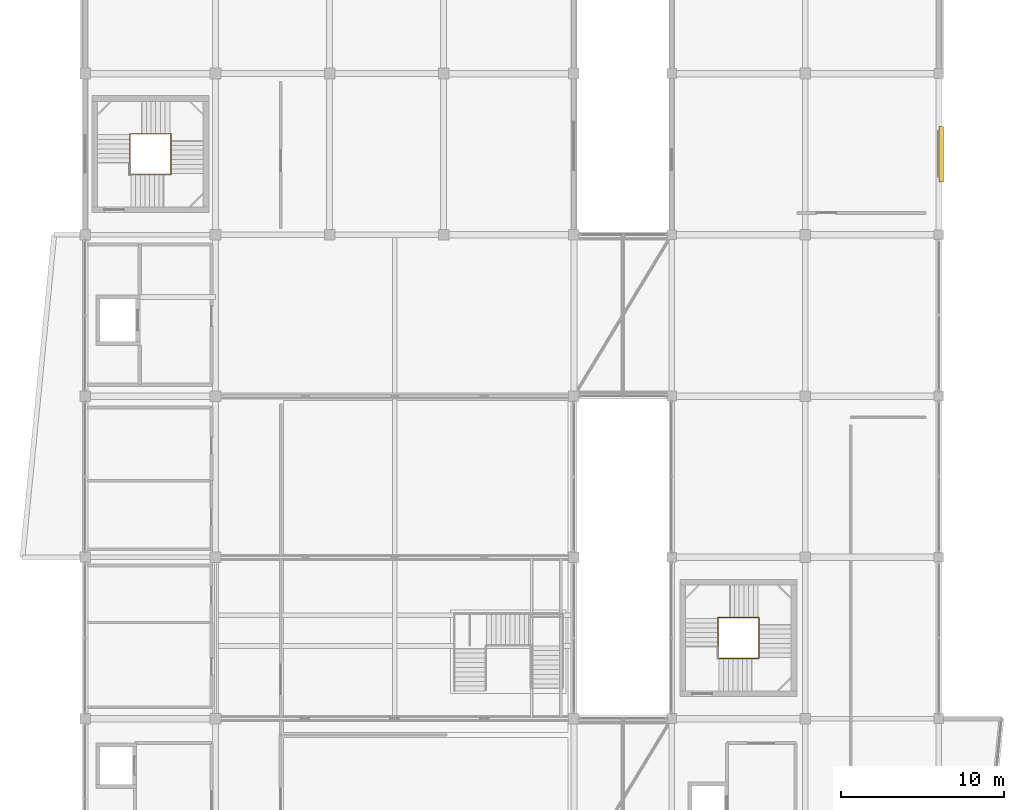
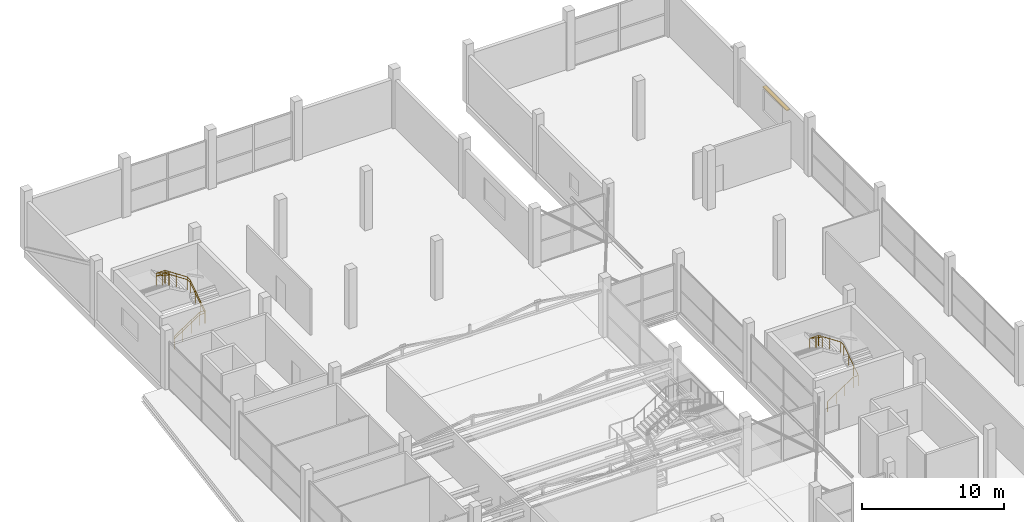
# One storey, part 66 of 66: 3 railings, 1 shading device.
"""IFC4 building model written with IfcOpenShell, lengths in metres."""

from ifc_helpers import new_model, si_unit, direction, frame, origin, origin_2d, place, context, subcontext, project, spatial, rectangle, circle, extrude, material, type_object, element, save


model = new_model("IFC4")

# Units and contexts
model_context = context("Model", 3, precision=1e-05, world=origin(), true_north=direction((0.0, 1.0)))
body_context = subcontext(model_context, "Body", "Model", "MODEL_VIEW")
ifc_project = project(units=[si_unit("LENGTHUNIT", "METRE"), si_unit("AREAUNIT", "SQUARE_METRE"), si_unit("VOLUMEUNIT", "CUBIC_METRE"), si_unit("PLANEANGLEUNIT", "RADIAN"), si_unit("MASSUNIT", "GRAM", prefix="KILO")], contexts=[model_context])

# Site, building, storey
site_placement = place(None, origin())
site = spatial("IfcSite", under=ifc_project, at=site_placement, CompositionType="ELEMENT")
building_placement = place(site_placement, origin())
building = spatial("IfcBuilding", under=site, at=building_placement, Name="Sillaruma Civic Art Gallery", CompositionType="ELEMENT")
storey_placement = place(building_placement, frame((0.0, 0.0, 57.1201171875)))
storey = spatial("IfcBuildingStorey", under=building, at=storey_placement, Name="L11", CompositionType="ELEMENT", Elevation=57.1201171875)

# Railings
ifc_material_1 = material(Name="Stainless Steel AISI 316", Category="steel")
railing_type_1 = type_object("IfcRailingType", Name="RAL-BAL-1150", PredefinedType="BALUSTRADE", material=ifc_material_1)
railing_1_placement = place(storey_placement, frame((64.739990234375, 82.889892578125, 0.0)))
element("IfcRailing", 1, at=railing_1_placement, inside=storey, type_object=railing_type_1, Name="Stair Well Balustrade (ST-02-L11)", PredefinedType="BALUSTRADE", context=body_context, shape_type="SweptSolid", body=[
    extrude(circle(Radius=0.02392578125, at=origin_2d()), frame((0.0, 0.0, 1.1259765625), z_axis=(0.838204181713, 0.0, 0.545356534534), x_axis=(0.0, 1.0, 0.0)), (0.0, 0.0, 1.0), 2.49365234375),
    extrude(circle(Radius=0.02392578125, at=origin_2d()), frame((2.090087890625, 0.0, 2.48583984375), z_axis=(1.0, 0.0, 0.0), x_axis=(0.0, 1.0, 0.0)), (0.0, 0.0, 1.0), 0.429931640625),
    extrude(circle(Radius=0.02392578125, at=origin_2d()), frame((2.52001953125, 0.0, 2.48583984375), z_axis=(0.0, 0.838159424827, 0.545425318971), x_axis=(-1.0, 0.0, 0.0)), (0.0, 0.0, 1.0), 2.49365234375),
    extrude(circle(Radius=0.02392578125, at=origin_2d()), frame((2.52001953125, 2.090087890625, 3.845703125), z_axis=(0.0, 1.0, 0.0), x_axis=(-1.0, 0.0, 0.0)), (0.0, 0.0, 1.0), 0.429931640625),
    extrude(circle(Radius=0.02392578125, at=origin_2d()), frame((2.52001953125, 2.52001953125, 3.845703125), z_axis=(-0.834202413191, 0.0, 0.551458369984), x_axis=(0.0, -1.0, 0.0)), (0.0, 0.0, 1.0), 2.15771484375),
    extrude(circle(Radius=0.02392578125, at=origin_2d()), frame((0.719970703125, 2.52001953125, 5.03564453125), z_axis=(-1.0, 0.0, 0.0), x_axis=(0.0, -1.0, 0.0)), (0.0, 0.0, 1.0), 0.719970703125),
    extrude(circle(Radius=0.02392578125, at=origin_2d()), frame((0.0, 2.52001953125, 5.03564453125), z_axis=(0.0, -0.834168000855, 0.551510422703), x_axis=(1.0, 0.0, 0.0)), (0.0, 0.0, 1.0), 2.15771484375),
    extrude(circle(Radius=0.02099609375, at=origin_2d()), origin(), (0.0, 0.0, 1.0), 1.101806640625),
    extrude(circle(Radius=0.02099609375, at=origin_2d()), frame((0.69677734375, 0.0, 0.453369140625)), (0.0, 0.0, 1.0), 1.101806640625),
    extrude(circle(Radius=0.02099609375, at=origin_2d()), frame((1.393310546875, 0.0, 0.906494140625)), (0.0, 0.0, 1.0), 1.101806640625),
    extrude(circle(Radius=0.02099609375, at=origin_2d()), frame((2.090087890625, 0.0, 1.35986328125)), (0.0, 0.0, 1.0), 1.101806640625),
    extrude(circle(Radius=0.02099609375, at=origin_2d()), frame((2.52001953125, 0.0, 1.35986328125)), (0.0, 0.0, 1.0), 1.101806640625),
    extrude(circle(Radius=0.02099609375, at=origin_2d()), frame((2.52001953125, 0.69677734375, 1.813232421875)), (0.0, 0.0, 1.0), 1.101806640625),
    extrude(circle(Radius=0.02099609375, at=origin_2d()), frame((2.52001953125, 1.393310546875, 2.2666015625)), (0.0, 0.0, 1.0), 1.101806640625),
    extrude(circle(Radius=0.02099609375, at=origin_2d()), frame((2.52001953125, 2.090087890625, 2.719970703125)), (0.0, 0.0, 1.0), 1.101806640625),
    extrude(circle(Radius=0.02099609375, at=origin_2d()), frame((2.52001953125, 2.52001953125, 2.719970703125)), (0.0, 0.0, 1.0), 1.101806640625),
    extrude(circle(Radius=0.02099609375, at=origin_2d()), frame((1.6201171875, 2.52001953125, 3.31494140625)), (0.0, 0.0, 1.0), 1.101806640625),
    extrude(circle(Radius=0.02099609375, at=origin_2d()), frame((0.719970703125, 2.52001953125, 3.909912109375)), (0.0, 0.0, 1.0), 1.101806640625),
    extrude(circle(Radius=0.02099609375, at=origin_2d()), frame((0.0, 2.52001953125, 3.909912109375)), (0.0, 0.0, 1.0), 1.101806640625),
    extrude(circle(Radius=0.02099609375, at=origin_2d()), frame((0.0, 1.6201171875, 4.5048828125)), (0.0, 0.0, 1.0), 1.101806640625),
    extrude(circle(Radius=0.02099609375, at=origin_2d()), frame((0.0, 0.72021484375, 5.099853515625)), (0.0, 0.0, 1.0), 1.101806640625),
])
railing_type_2 = type_object("IfcRailingType", Name="RAL-HND-920", PredefinedType="HANDRAIL", material=ifc_material_1)
railing_2_placement = place(storey_placement, frame((64.739990234375, 82.889892578125, 0.0)))
element("IfcRailing", 2, at=railing_2_placement, inside=storey, type_object=railing_type_2, Name="Stair Continuous Handrail (ST-02-L11)", PredefinedType="HANDRAIL", context=body_context, shape_type="SweptSolid", body=[
    extrude(circle(Radius=0.02392578125, at=origin_2d()), frame((0.0, 0.0, 0.89599609375), z_axis=(0.838204181713, 0.0, 0.545356534534), x_axis=(0.0, 1.0, 0.0)), (0.0, 0.0, 1.0), 2.49365234375),
    extrude(circle(Radius=0.02392578125, at=origin_2d()), frame((2.090087890625, 0.0, 2.255859375), z_axis=(1.0, 0.0, 0.0), x_axis=(0.0, 1.0, 0.0)), (0.0, 0.0, 1.0), 0.429931640625),
    extrude(circle(Radius=0.02392578125, at=origin_2d()), frame((2.52001953125, 0.0, 2.255859375), z_axis=(0.0, 0.838159424827, 0.545425318971), x_axis=(-1.0, 0.0, 0.0)), (0.0, 0.0, 1.0), 2.49365234375),
    extrude(circle(Radius=0.02392578125, at=origin_2d()), frame((2.52001953125, 2.090087890625, 3.61572265625), z_axis=(0.0, 1.0, 0.0), x_axis=(-1.0, 0.0, 0.0)), (0.0, 0.0, 1.0), 0.429931640625),
    extrude(circle(Radius=0.02392578125, at=origin_2d()), frame((2.52001953125, 2.52001953125, 3.61572265625), z_axis=(-0.834202413191, 0.0, 0.551458369984), x_axis=(0.0, -1.0, 0.0)), (0.0, 0.0, 1.0), 2.15771484375),
    extrude(circle(Radius=0.02392578125, at=origin_2d()), frame((0.719970703125, 2.52001953125, 4.8056640625), z_axis=(-1.0, 0.0, 0.0), x_axis=(0.0, -1.0, 0.0)), (0.0, 0.0, 1.0), 0.719970703125),
    extrude(circle(Radius=0.02392578125, at=origin_2d()), frame((0.0, 2.52001953125, 4.8056640625), z_axis=(0.0, -0.834168000855, 0.551510422703), x_axis=(1.0, 0.0, 0.0)), (0.0, 0.0, 1.0), 2.15771484375),
    extrude(circle(Radius=0.02099609375, at=origin_2d()), origin(), (0.0, 0.0, 1.0), 0.871826171875),
    extrude(circle(Radius=0.02099609375, at=origin_2d()), frame((0.69677734375, 0.0, 0.453369140625)), (0.0, 0.0, 1.0), 0.871826171875),
    extrude(circle(Radius=0.02099609375, at=origin_2d()), frame((1.393310546875, 0.0, 0.906494140625)), (0.0, 0.0, 1.0), 0.871826171875),
    extrude(circle(Radius=0.02099609375, at=origin_2d()), frame((2.090087890625, 0.0, 1.35986328125)), (0.0, 0.0, 1.0), 0.871826171875),
    extrude(circle(Radius=0.02099609375, at=origin_2d()), frame((2.52001953125, 0.0, 1.35986328125)), (0.0, 0.0, 1.0), 0.871826171875),
    extrude(circle(Radius=0.02099609375, at=origin_2d()), frame((2.52001953125, 0.69677734375, 1.813232421875)), (0.0, 0.0, 1.0), 0.871826171875),
    extrude(circle(Radius=0.02099609375, at=origin_2d()), frame((2.52001953125, 1.393310546875, 2.2666015625)), (0.0, 0.0, 1.0), 0.871826171875),
    extrude(circle(Radius=0.02099609375, at=origin_2d()), frame((2.52001953125, 2.090087890625, 2.719970703125)), (0.0, 0.0, 1.0), 0.871826171875),
    extrude(circle(Radius=0.02099609375, at=origin_2d()), frame((2.52001953125, 2.52001953125, 2.719970703125)), (0.0, 0.0, 1.0), 0.871826171875),
    extrude(circle(Radius=0.02099609375, at=origin_2d()), frame((1.6201171875, 2.52001953125, 3.31494140625)), (0.0, 0.0, 1.0), 0.871826171875),
    extrude(circle(Radius=0.02099609375, at=origin_2d()), frame((0.719970703125, 2.52001953125, 3.909912109375)), (0.0, 0.0, 1.0), 0.871826171875),
    extrude(circle(Radius=0.02099609375, at=origin_2d()), frame((0.0, 2.52001953125, 3.909912109375)), (0.0, 0.0, 1.0), 0.871826171875),
    extrude(circle(Radius=0.02099609375, at=origin_2d()), frame((0.0, 1.6201171875, 4.5048828125)), (0.0, 0.0, 1.0), 0.871826171875),
    extrude(circle(Radius=0.02099609375, at=origin_2d()), frame((0.0, 0.72021484375, 5.099853515625)), (0.0, 0.0, 1.0), 0.871826171875),
])
railing_3_placement = place(storey_placement, frame((100.840087890625, 53.18994140625, 0.0)))
element("IfcRailing", 3, at=railing_3_placement, inside=storey, type_object=railing_type_2, Name="Stair Continuous Handrail (ST-04-L11)", PredefinedType="HANDRAIL", context=body_context, shape_type="SweptSolid", body=[
    extrude(circle(Radius=0.02392578125, at=origin_2d()), frame((0.0, 0.0, 0.89599609375), z_axis=(0.838175058464, 0.0, 0.545401293883), x_axis=(0.0, 1.0, 0.0)), (0.0, 0.0, 1.0), 2.493408203125),
    extrude(circle(Radius=0.02392578125, at=origin_2d()), frame((2.08984375, 0.0, 2.255859375), z_axis=(1.0, 0.0, 0.0), x_axis=(0.0, 1.0, 0.0)), (0.0, 0.0, 1.0), 0.43017578125),
    extrude(circle(Radius=0.02392578125, at=origin_2d()), frame((2.52001953125, 0.0, 2.255859375), z_axis=(0.0, 0.838159424827, 0.545425318971), x_axis=(-1.0, 0.0, 0.0)), (0.0, 0.0, 1.0), 2.49365234375),
    extrude(circle(Radius=0.02392578125, at=origin_2d()), frame((2.52001953125, 2.090087890625, 3.61572265625), z_axis=(0.0, 1.0, 0.0), x_axis=(-1.0, 0.0, 0.0)), (0.0, 0.0, 1.0), 0.429931640625),
    extrude(circle(Radius=0.02392578125, at=origin_2d()), frame((2.52001953125, 2.52001953125, 3.61572265625), z_axis=(-0.834202413191, 0.0, 0.551458369984), x_axis=(0.0, -1.0, 0.0)), (0.0, 0.0, 1.0), 2.15771484375),
    extrude(circle(Radius=0.02392578125, at=origin_2d()), frame((0.719970703125, 2.52001953125, 4.8056640625), z_axis=(-1.0, 0.0, 0.0), x_axis=(0.0, -1.0, 0.0)), (0.0, 0.0, 1.0), 0.719970703125),
    extrude(circle(Radius=0.02392578125, at=origin_2d()), frame((0.0, 2.52001953125, 4.8056640625), z_axis=(0.0, -0.834202413191, 0.551458369984), x_axis=(1.0, 0.0, 0.0)), (0.0, 0.0, 1.0), 2.15771484375),
    extrude(circle(Radius=0.02099609375, at=origin_2d()), origin(), (0.0, 0.0, 1.0), 0.871826171875),
    extrude(circle(Radius=0.02099609375, at=origin_2d()), frame((0.696533203125, 0.0, 0.453369140625)), (0.0, 0.0, 1.0), 0.871826171875),
    extrude(circle(Radius=0.02099609375, at=origin_2d()), frame((1.393310546875, 0.0, 0.906494140625)), (0.0, 0.0, 1.0), 0.871826171875),
    extrude(circle(Radius=0.02099609375, at=origin_2d()), frame((2.08984375, 0.0, 1.35986328125)), (0.0, 0.0, 1.0), 0.871826171875),
    extrude(circle(Radius=0.02099609375, at=origin_2d()), frame((2.52001953125, 0.0, 1.35986328125)), (0.0, 0.0, 1.0), 0.871826171875),
    extrude(circle(Radius=0.02099609375, at=origin_2d()), frame((2.52001953125, 0.69677734375, 1.813232421875)), (0.0, 0.0, 1.0), 0.871826171875),
    extrude(circle(Radius=0.02099609375, at=origin_2d()), frame((2.52001953125, 1.393310546875, 2.2666015625)), (0.0, 0.0, 1.0), 0.871826171875),
    extrude(circle(Radius=0.02099609375, at=origin_2d()), frame((2.52001953125, 2.090087890625, 2.719970703125)), (0.0, 0.0, 1.0), 0.871826171875),
    extrude(circle(Radius=0.02099609375, at=origin_2d()), frame((2.52001953125, 2.52001953125, 2.719970703125)), (0.0, 0.0, 1.0), 0.871826171875),
    extrude(circle(Radius=0.02099609375, at=origin_2d()), frame((1.6201171875, 2.52001953125, 3.31494140625)), (0.0, 0.0, 1.0), 0.871826171875),
    extrude(circle(Radius=0.02099609375, at=origin_2d()), frame((0.719970703125, 2.52001953125, 3.909912109375)), (0.0, 0.0, 1.0), 0.871826171875),
    extrude(circle(Radius=0.02099609375, at=origin_2d()), frame((0.0, 2.52001953125, 3.909912109375)), (0.0, 0.0, 1.0), 0.871826171875),
    extrude(circle(Radius=0.02099609375, at=origin_2d()), frame((0.0, 1.6201171875, 4.5048828125)), (0.0, 0.0, 1.0), 0.871826171875),
    extrude(circle(Radius=0.02099609375, at=origin_2d()), frame((0.0, 0.719970703125, 5.099853515625)), (0.0, 0.0, 1.0), 0.871826171875),
])

# Shading device
ifc_material_2 = material(Name="Anodised Extruded Aluminium 6063-T6", Category="aluminium")
shading_device_type = type_object("IfcShadingDeviceType", Name="SHD-LOU-01", PredefinedType="USERDEFINED", material=ifc_material_2)
shading_device_placement = place(storey_placement, frame((114.5400390625, 84.14990234375, 3.419921875), z_axis=(0.0, 0.0, 1.0), x_axis=(0.0, 1.0, 0.0)))
element("IfcShadingDevice", 4, at=shading_device_placement, inside=storey, type_object=shading_device_type, Name="Studio Solar Louvre Baffle (L11-7)", ObjectType="LOUVRE", PredefinedType="USERDEFINED", context=body_context, shape_type="SweptSolid", body=[
    extrude(rectangle(XDim=3.39990234375, YDim=0.280029296875, at=origin_2d()), origin(), (0.0, 0.0, 1.0), 0.06005859375),
])

save(model, "model.ifc")
